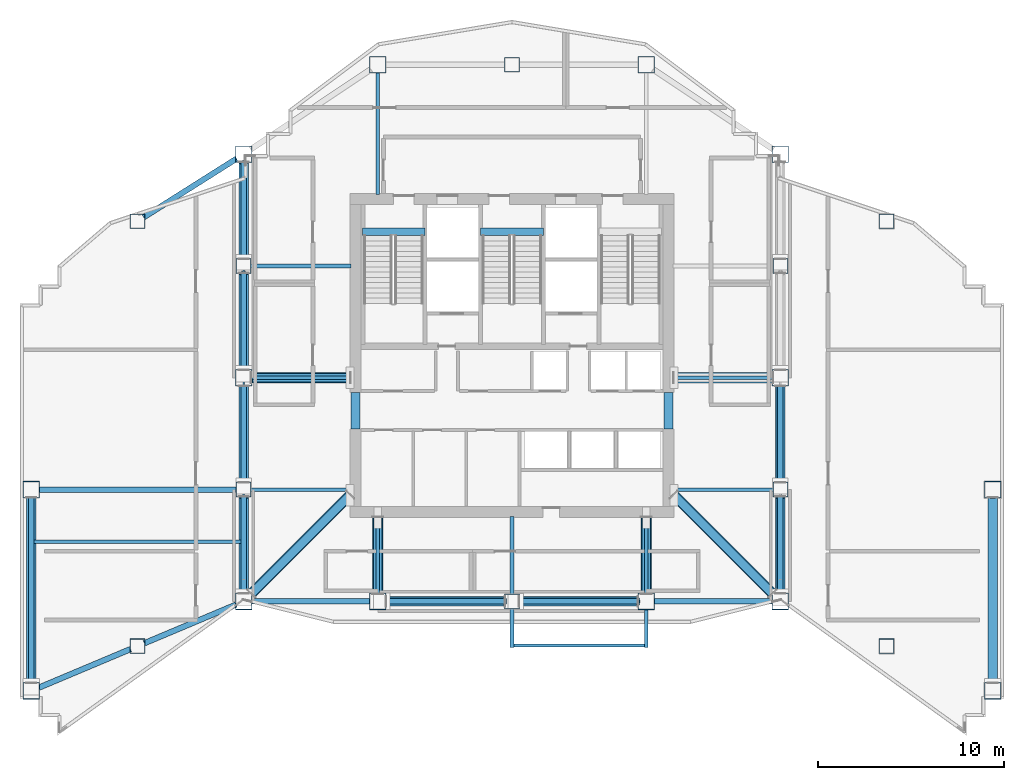
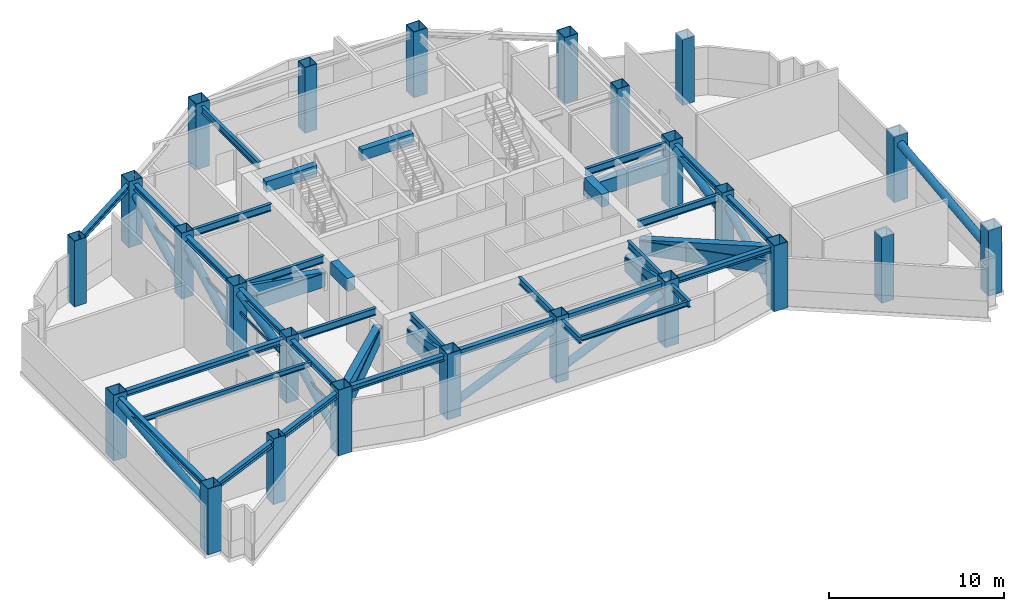
# One storey, part 1 of 19: 38 beams, 24 columns, 16 members.
"""IFC4 building model written with IfcOpenShell, lengths in metres."""

from ifc_helpers import new_model, si_unit, direction, frame, origin, origin_2d, place, context, subcontext, project, spatial, rectangle, hollow_rectangle, hollow_circle, i_section, extrude, material, material_profile, profile_set, type_object, element, save


model = new_model("IFC4")

# Units and contexts
model_context = context("Model", 3, precision=1e-05, world=origin(), true_north=direction((0.0, 1.0)))
body_context = subcontext(model_context, "Body", "Model", "MODEL_VIEW")
ifc_project = project(units=[si_unit("LENGTHUNIT", "METRE"), si_unit("AREAUNIT", "SQUARE_METRE"), si_unit("VOLUMEUNIT", "CUBIC_METRE"), si_unit("PLANEANGLEUNIT", "RADIAN"), si_unit("MASSUNIT", "GRAM", prefix="KILO")], contexts=[model_context])

# Site, building, storey
site_placement = place(None, origin())
site = spatial("IfcSite", under=ifc_project, at=site_placement, CompositionType="ELEMENT")
building_placement = place(site_placement, origin())
building = spatial("IfcBuilding", under=site, at=building_placement, Name="Haolan Belvedere Tower", CompositionType="ELEMENT")
storey_placement = place(building_placement, frame((0.0, 0.0, 230.60009765625)))
storey = spatial("IfcBuildingStorey", under=building, at=storey_placement, Name="L58", CompositionType="ELEMENT", Elevation=230.60009765625)

# Columns
ifc_material_1 = material(Name="Steel Q390GJC", Category="steel")
ifc_material_profile_1 = material_profile(ifc_material_1, hollow_rectangle(XDim=0.800048828125, YDim=0.800048828125, WallThickness=0.030029296875, at=origin_2d()), Name="Steel Q390GJC")
ifc_profile_set_1 = profile_set([ifc_material_profile_1], Name="Steel Q390GJC")
column_type_1 = type_object("IfcColumnType", Name="COL-BOX800x800x30", PredefinedType="COLUMN", material=ifc_profile_set_1)
for number, where, z_axis, x_axis, name in (
    (1, (24.0, 27.60009765625, 0.0), (0.0, 0.0, 1.0), (1.0, 0.0, 0.0), "L58 column TC-T3-W1 (BOX800x800x30)"),
    (2, (24.0, 39.60009765625, 0.0), (0.0, 0.0, 1.0), (1.0, 0.0, 0.0), "L58 column TC-T3-W2 (BOX800x800x30)"),
    (3, (52.800048828125, 27.60009765625, 0.0), (0.0, 0.0, 1.0), (1.0, 0.0, 0.0), "L58 column TC-T3-E1 (BOX800x800x30)"),
    (4, (52.800048828125, 39.60009765625, 0.0), (0.0, 0.0, 1.0), (1.0, 0.0, 0.0), "L58 column TC-T3-E2 (BOX800x800x30)"),
    (5, (38.39990234375, 21.60009765625, 0.0), (0.0, 0.0, 1.0), (1.0, 0.0, 0.0), "L58 column TC-T3-SM (BOX800x800x30)"),
    (6, (38.39990234375, 50.39990234375, 0.0), (0.0, 0.0, 1.0), (1.0, 0.0, 0.0), "L58 column TC-T3-NM (BOX800x800x30)"),
    (7, (18.300048828125, 19.199951171875, 0.0), (0.0, 0.0, 1.0), (1.0, 0.0, 0.0), "L58 column TC-T2-S1 (BOX800x800x30)"),
    (8, (18.300048828125, 42.0, 0.0), (0.0, 0.0, 1.0), (1.0, 0.0, 0.0), "L58 column TC-T2-N1 (BOX800x800x30)"),
    (9, (58.5, 19.199951171875, 0.0), (0.0, 0.0, 1.0), (1.0, 0.0, 0.0), "L58 column TC-T4-S1 (BOX800x800x30)"),
    (10, (58.5, 42.0, 0.0), (0.0, 0.0, 1.0), (1.0, 0.0, 0.0), "L58 column TC-T4-N1 (BOX800x800x30)"),
):
    element("IfcColumn", number, at=place(storey_placement, frame(where, z_axis=z_axis, x_axis=x_axis)), inside=storey, type_object=column_type_1, Name=name, PredefinedType="COLUMN", context=body_context, shape_type="SweptSolid", body=[
        extrude(hollow_rectangle(XDim=0.800048828125, YDim=0.800048828125, WallThickness=0.030029296875, at=origin_2d()), origin(), (0.0, 0.0, 1.0), 4.599853515625),
    ])
ifc_material_profile_2 = material_profile(ifc_material_1, hollow_rectangle(XDim=0.89990234375, YDim=0.89990234375, WallThickness=0.033935546875, at=origin_2d()), Name="Steel Q390GJC")
ifc_profile_set_2 = profile_set([ifc_material_profile_2], Name="Steel Q390GJC")
column_type_2 = type_object("IfcColumnType", Name="COL-BOX900x900x34", PredefinedType="COLUMN", material=ifc_profile_set_2)
for number, where, z_axis, x_axis, name in (
    (11, (24.0, 21.60009765625, 0.0), (0.0, 0.0, 1.0), (1.0, 0.0, 0.0), "L58 column MC-T3-SW (BOX900x900x34)"),
    (12, (24.0, 33.60009765625, 0.0), (0.0, 0.0, 1.0), (1.0, 0.0, 0.0), "L58 column MC-T3-MW (BOX900x900x34)"),
    (13, (24.0, 45.60009765625, 0.0), (0.0, 0.0, 1.0), (1.0, 0.0, 0.0), "L58 column MC-T3-NW (BOX900x900x34)"),
    (14, (52.800048828125, 21.60009765625, 0.0), (0.0, 0.0, 1.0), (1.0, 0.0, 0.0), "L58 column MC-T3-SE (BOX900x900x34)"),
    (15, (52.800048828125, 33.60009765625, 0.0), (0.0, 0.0, 1.0), (1.0, 0.0, 0.0), "L58 column MC-T3-ME (BOX900x900x34)"),
    (16, (52.800048828125, 45.60009765625, 0.0), (0.0, 0.0, 1.0), (1.0, 0.0, 0.0), "L58 column MC-T3-NE (BOX900x900x34)"),
    (17, (31.199951171875, 21.60009765625, 0.0), (0.0, 0.0, 1.0), (1.0, 0.0, 0.0), "L58 column MC-T3-S1 (BOX900x900x34)"),
    (18, (45.60009765625, 21.60009765625, 0.0), (0.0, 0.0, 1.0), (1.0, 0.0, 0.0), "L58 column MC-T3-S2 (BOX900x900x34)"),
    (19, (31.199951171875, 50.39990234375, 0.0), (0.0, 0.0, 1.0), (1.0, 0.0, 0.0), "L58 column MC-T3-N1 (BOX900x900x34)"),
    (20, (45.60009765625, 50.39990234375, 0.0), (0.0, 0.0, 1.0), (1.0, 0.0, 0.0), "L58 column MC-T3-N2 (BOX900x900x34)"),
    (21, (12.60009765625, 16.800048828125, 0.0), (0.0, 0.0, 1.0), (1.0, 0.0, 0.0), "L58 column MC-T2-SW (BOX900x900x34)"),
    (22, (12.60009765625, 27.60009765625, 0.0), (0.0, 0.0, 1.0), (1.0, 0.0, 0.0), "L58 column MC-T2-MW (BOX900x900x34)"),
    (23, (64.199951171875, 16.800048828125, 0.0), (0.0, 0.0, 1.0), (1.0, 0.0, 0.0), "L58 column MC-T4-SE (BOX900x900x34)"),
    (24, (64.199951171875, 27.60009765625, 0.0), (0.0, 0.0, 1.0), (1.0, 0.0, 0.0), "L58 column MC-T4-ME (BOX900x900x34)"),
):
    element("IfcColumn", number, at=place(storey_placement, frame(where, z_axis=z_axis, x_axis=x_axis)), inside=storey, type_object=column_type_2, Name=name, PredefinedType="COLUMN", context=body_context, shape_type="SweptSolid", body=[
        extrude(hollow_rectangle(XDim=0.89990234375, YDim=0.89990234375, WallThickness=0.033935546875, at=origin_2d()), origin(), (0.0, 0.0, 1.0), 4.599853515625),
    ])

# Beams
ifc_material_2 = material(Name="Steel Q420GJC", Category="steel")
ifc_material_profile_3 = material_profile(ifc_material_2, hollow_rectangle(XDim=0.550048828125, YDim=0.949951171875, WallThickness=0.033935546875, at=origin_2d()), Name="Steel Q420GJC")
ifc_profile_set_3 = profile_set([ifc_material_profile_3], Name="Steel Q420GJC")
beam_type_1 = type_object("IfcBeamType", Name="BM-BOX950x550x34", PredefinedType="BEAM", material=ifc_profile_set_3)
beam_1_placement = place(storey_placement, frame((29.72998046875, 33.60009765625, 2.77978515625), z_axis=(-1.0, 0.0, 0.0), x_axis=(0.0, -1.0, 0.0)))
element("IfcBeam", 25, at=beam_1_placement, inside=storey, type_object=beam_type_1, Name="L58 core outrigger lower portal chord OR-W1", PredefinedType="BEAM", context=body_context, shape_type="SweptSolid", body=[
    extrude(hollow_rectangle(XDim=0.550048828125, YDim=0.949951171875, WallThickness=0.033935546875, at=origin_2d()), origin(), (0.0, 0.0, 1.0), 5.31005859375),
])
beam_2_placement = place(storey_placement, frame((29.72119140625, 27.3212890625, 2.77978515625), z_axis=(-0.707106781187, -0.707106781187, 0.0), x_axis=(0.707106781187, -0.707106781187, 0.0)))
element("IfcBeam", 26, at=beam_2_placement, inside=storey, type_object=beam_type_1, Name="L58 core outrigger lower portal chord OR-W2", PredefinedType="BEAM", context=body_context, shape_type="SweptSolid", body=[
    extrude(hollow_rectangle(XDim=0.550048828125, YDim=0.949951171875, WallThickness=0.033935546875, at=origin_2d()), origin(), (0.0, 0.0, 1.0), 7.484619140625),
])
beam_3_placement = place(storey_placement, frame((47.070068359375, 33.60009765625, 2.77978515625), z_axis=(1.0, 0.0, 0.0), x_axis=(0.0, 1.0, 0.0)))
element("IfcBeam", 27, at=beam_3_placement, inside=storey, type_object=beam_type_1, Name="L58 core outrigger lower portal chord OR-E1", PredefinedType="BEAM", context=body_context, shape_type="SweptSolid", body=[
    extrude(hollow_rectangle(XDim=0.550048828125, YDim=0.949951171875, WallThickness=0.033935546875, at=origin_2d()), origin(), (0.0, 0.0, 1.0), 5.309814453125),
])
beam_4_placement = place(storey_placement, frame((47.078857421875, 27.3212890625, 2.77978515625), z_axis=(0.707090471305, -0.707123090692, 0.0), x_axis=(0.707123090692, 0.707090471305, 0.0)))
element("IfcBeam", 28, at=beam_4_placement, inside=storey, type_object=beam_type_1, Name="L58 core outrigger lower portal chord OR-E2", PredefinedType="BEAM", context=body_context, shape_type="SweptSolid", body=[
    extrude(hollow_rectangle(XDim=0.550048828125, YDim=0.949951171875, WallThickness=0.033935546875, at=origin_2d()), origin(), (0.0, 0.0, 1.0), 7.484619140625),
])
for number, where, z_axis, x_axis, name in (
    (29, (31.199951171875, 26.1298828125, 2.77978515625), (0.0, -1.0, 0.0), (1.0, 0.0, 0.0), "L58 core outrigger lower portal chord OR-S1"),
    (30, (45.60009765625, 26.1298828125, 2.77978515625), (0.0, -1.0, 0.0), (1.0, 0.0, 0.0), "L58 core outrigger lower portal chord OR-S2"),
):
    element("IfcBeam", number, at=place(storey_placement, frame(where, z_axis=z_axis, x_axis=x_axis)), inside=storey, type_object=beam_type_1, Name=name, PredefinedType="BEAM", context=body_context, shape_type="SweptSolid", body=[
        extrude(hollow_rectangle(XDim=0.550048828125, YDim=0.949951171875, WallThickness=0.033935546875, at=origin_2d()), origin(), (0.0, 0.0, 1.0), 4.10986328125),
    ])
ifc_material_3 = material(Name="Steel Q355B", Category="steel")
ifc_material_profile_4 = material_profile(ifc_material_3, i_section(OverallWidth=0.300048828125, OverallDepth=0.389892578125, WebThickness=0.010009765625, FlangeThickness=0.01611328125, FilletRadius=0.02197265625, at=origin_2d()), Name="Steel Q355B")
ifc_profile_set_4 = profile_set([ifc_material_profile_4], Name="Steel Q355B")
beam_type_2 = type_object("IfcBeamType", Name="BM-HM390x300x10x16", PredefinedType="SPANDREL", material=ifc_profile_set_4)
for number, where, z_axis, x_axis, name in (
    (31, (24.0, 22.050048828125, 4.15478515625), (0.0, 1.0, 0.0), (-1.0, 0.0, 0.0), "L58 spandrel girder MC-T3-SW-TC-T3-W1"),
    (32, (24.0, 28.0, 4.15478515625), (0.0, 1.0, 0.0), (-1.0, 0.0, 0.0), "L58 spandrel girder TC-T3-W1-MC-T3-MW"),
    (33, (24.0, 34.050048828125, 4.15478515625), (0.0, 1.0, 0.0), (-1.0, 0.0, 0.0), "L58 spandrel girder MC-T3-MW-TC-T3-W2"),
    (34, (24.0, 40.0, 4.15478515625), (0.0, 1.0, 0.0), (-1.0, 0.0, 0.0), "L58 spandrel girder TC-T3-W2-MC-T3-NW"),
    (35, (52.800048828125, 22.050048828125, 4.15478515625), (0.0, 1.0, 0.0), (-1.0, 0.0, 0.0), "L58 spandrel girder MC-T3-SE-TC-T3-E1"),
    (36, (52.800048828125, 28.0, 4.15478515625), (0.0, 1.0, 0.0), (-1.0, 0.0, 0.0), "L58 spandrel girder TC-T3-E1-MC-T3-ME"),
):
    element("IfcBeam", number, at=place(storey_placement, frame(where, z_axis=z_axis, x_axis=x_axis)), inside=storey, type_object=beam_type_2, Name=name, PredefinedType="SPANDREL", context=body_context, shape_type="SweptSolid", body=[
        extrude(i_section(OverallWidth=0.300048828125, OverallDepth=0.389892578125, WebThickness=0.010009765625, FlangeThickness=0.01611328125, FilletRadius=0.02197265625, at=origin_2d()), origin(), (0.0, 0.0, 1.0), 5.14990234375),
    ])
beam_5_placement = place(storey_placement, frame((24.449951171875, 21.60009765625, 4.15478515625), z_axis=(1.0, 0.0, 0.0), x_axis=(0.0, 1.0, 0.0)))
element("IfcBeam", 37, at=beam_5_placement, inside=storey, type_object=beam_type_2, Name="L58 spandrel girder MC-T3-SW-MC-T3-S1", PredefinedType="SPANDREL", context=body_context, shape_type="SweptSolid", body=[
    extrude(i_section(OverallWidth=0.300048828125, OverallDepth=0.389892578125, WebThickness=0.010009765625, FlangeThickness=0.01611328125, FilletRadius=0.02197265625, at=origin_2d()), origin(), (0.0, 0.0, 1.0), 6.300048828125),
])
beam_6_placement = place(storey_placement, frame((31.64990234375, 21.60009765625, 4.15478515625), z_axis=(1.0, 0.0, 0.0), x_axis=(0.0, 1.0, 0.0)))
element("IfcBeam", 38, at=beam_6_placement, inside=storey, type_object=beam_type_2, Name="L58 spandrel girder MC-T3-S1-TC-T3-SM", PredefinedType="SPANDREL", context=body_context, shape_type="SweptSolid", body=[
    extrude(i_section(OverallWidth=0.300048828125, OverallDepth=0.389892578125, WebThickness=0.010009765625, FlangeThickness=0.01611328125, FilletRadius=0.02197265625, at=origin_2d()), origin(), (0.0, 0.0, 1.0), 6.35009765625),
])
beam_7_placement = place(storey_placement, frame((38.800048828125, 21.60009765625, 4.15478515625), z_axis=(1.0, 0.0, 0.0), x_axis=(0.0, 1.0, 0.0)))
element("IfcBeam", 39, at=beam_7_placement, inside=storey, type_object=beam_type_2, Name="L58 spandrel girder TC-T3-SM-MC-T3-S2", PredefinedType="SPANDREL", context=body_context, shape_type="SweptSolid", body=[
    extrude(i_section(OverallWidth=0.300048828125, OverallDepth=0.389892578125, WebThickness=0.010009765625, FlangeThickness=0.01611328125, FilletRadius=0.02197265625, at=origin_2d()), origin(), (0.0, 0.0, 1.0), 6.349853515625),
])
beam_8_placement = place(storey_placement, frame((46.050048828125, 21.60009765625, 4.15478515625), z_axis=(1.0, 0.0, 0.0), x_axis=(0.0, 1.0, 0.0)))
element("IfcBeam", 40, at=beam_8_placement, inside=storey, type_object=beam_type_2, Name="L58 spandrel girder MC-T3-S2-MC-T3-SE", PredefinedType="SPANDREL", context=body_context, shape_type="SweptSolid", body=[
    extrude(i_section(OverallWidth=0.300048828125, OverallDepth=0.389892578125, WebThickness=0.010009765625, FlangeThickness=0.01611328125, FilletRadius=0.02197265625, at=origin_2d()), origin(), (0.0, 0.0, 1.0), 6.300048828125),
])
beam_9_placement = place(storey_placement, frame((12.60009765625, 17.25, 4.15478515625), z_axis=(0.0, 1.0, 0.0), x_axis=(-1.0, 0.0, 0.0)))
element("IfcBeam", 41, at=beam_9_placement, inside=storey, type_object=beam_type_2, Name="L58 spandrel girder MC-T2-SW-MC-T2-MW", PredefinedType="SPANDREL", context=body_context, shape_type="SweptSolid", body=[
    extrude(i_section(OverallWidth=0.300048828125, OverallDepth=0.389892578125, WebThickness=0.010009765625, FlangeThickness=0.01611328125, FilletRadius=0.02197265625, at=origin_2d()), origin(), (0.0, 0.0, 1.0), 9.89990234375),
])
beam_10_placement = place(storey_placement, frame((13.0146484375, 16.974609375, 4.15478515625), z_axis=(0.921644850741, 0.388034494733, 0.0), x_axis=(-0.388034494733, 0.921644850741, 0.0)))
element("IfcBeam", 42, at=beam_10_placement, inside=storey, type_object=beam_type_2, Name="L58 spandrel girder MC-T2-SW-TC-T2-S1", PredefinedType="SPANDREL", context=body_context, shape_type="SweptSolid", body=[
    extrude(i_section(OverallWidth=0.300048828125, OverallDepth=0.389892578125, WebThickness=0.010009765625, FlangeThickness=0.01611328125, FilletRadius=0.02197265625, at=origin_2d()), origin(), (0.0, 0.0, 1.0), 5.334716796875),
])
beam_11_placement = place(storey_placement, frame((18.668701171875, 19.355224609375, 4.15478515625), z_axis=(0.921637959557, 0.388050862006, 0.0), x_axis=(-0.388050862006, 0.921637959557, 0.0)))
element("IfcBeam", 43, at=beam_11_placement, inside=storey, type_object=beam_type_2, Name="L58 spandrel girder TC-T2-S1-MC-T3-SW", PredefinedType="SPANDREL", context=body_context, shape_type="SweptSolid", body=[
    extrude(i_section(OverallWidth=0.300048828125, OverallDepth=0.389892578125, WebThickness=0.010009765625, FlangeThickness=0.01611328125, FilletRadius=0.02197265625, at=origin_2d()), origin(), (0.0, 0.0, 1.0), 5.33447265625),
])
beam_12_placement = place(storey_placement, frame((18.63818359375, 42.213623046875, 4.15478515625), z_axis=(0.845502688092, 0.533971164417, 0.0), x_axis=(-0.533971164417, 0.845502688092, 0.0)))
element("IfcBeam", 44, at=beam_12_placement, inside=storey, type_object=beam_type_2, Name="L58 spandrel girder TC-T2-N1-MC-T3-NW", PredefinedType="SPANDREL", context=body_context, shape_type="SweptSolid", body=[
    extrude(i_section(OverallWidth=0.300048828125, OverallDepth=0.389892578125, WebThickness=0.010009765625, FlangeThickness=0.01611328125, FilletRadius=0.02197265625, at=origin_2d()), origin(), (0.0, 0.0, 1.0), 5.8916015625),
])
beam_13_placement = place(storey_placement, frame((13.050048828125, 27.60009765625, 4.15478515625), z_axis=(1.0, 0.0, 0.0), x_axis=(0.0, 1.0, 0.0)))
element("IfcBeam", 45, at=beam_13_placement, inside=storey, type_object=beam_type_2, Name="L58 spandrel girder MC-T2-MW-TC-T3-W1", PredefinedType="SPANDREL", context=body_context, shape_type="SweptSolid", body=[
    extrude(i_section(OverallWidth=0.300048828125, OverallDepth=0.389892578125, WebThickness=0.010009765625, FlangeThickness=0.01611328125, FilletRadius=0.02197265625, at=origin_2d()), origin(), (0.0, 0.0, 1.0), 10.550048828125),
])
ifc_material_profile_5 = material_profile(ifc_material_3, i_section(OverallWidth=0.175048828125, OverallDepth=0.35009765625, WebThickness=0.007080078125, FlangeThickness=0.010986328125, FilletRadius=0.012939453125, at=origin_2d()), Name="Steel Q355B")
ifc_profile_set_5 = profile_set([ifc_material_profile_5], Name="Steel Q355B")
beam_type_3 = type_object("IfcBeamType", Name="BM-HN350x175x7x11", PredefinedType="JOIST", material=ifc_profile_set_5)
beam_14_placement = place(storey_placement, frame((12.75, 24.800048828125, 4.1748046875), z_axis=(1.0, 0.0, 0.0), x_axis=(0.0, 1.0, 0.0)))
element("IfcBeam", 46, at=beam_14_placement, inside=storey, type_object=beam_type_3, Name="L58 west wing floor joist 1", PredefinedType="JOIST", context=body_context, shape_type="SweptSolid", body=[
    extrude(i_section(OverallWidth=0.175048828125, OverallDepth=0.35009765625, WebThickness=0.007080078125, FlangeThickness=0.010986328125, FilletRadius=0.012939453125, at=origin_2d()), origin(), (0.0, 0.0, 1.0), 11.10009765625),
])
beam_15_placement = place(storey_placement, frame((38.5, 19.239990234375, 4.1748046875), z_axis=(1.0, 0.0, 0.0), x_axis=(0.0, 1.0, 0.0)))
element("IfcBeam", 47, at=beam_15_placement, inside=storey, type_object=beam_type_3, Name="L59 tree-balcony front trimmer beam 1", PredefinedType="BEAM", context=body_context, shape_type="SweptSolid", body=[
    extrude(i_section(OverallWidth=0.175048828125, OverallDepth=0.35009765625, WebThickness=0.007080078125, FlangeThickness=0.010986328125, FilletRadius=0.012939453125, at=origin_2d()), origin(), (0.0, 0.0, 1.0), 7.0),
])
ifc_material_profile_6 = material_profile(ifc_material_3, i_section(OverallWidth=0.199951171875, OverallDepth=0.449951171875, WebThickness=0.009033203125, FlangeThickness=0.013916015625, FilletRadius=0.01611328125, at=origin_2d()), Name="Steel Q355B")
ifc_profile_set_6 = profile_set([ifc_material_profile_6], Name="Steel Q355B")
beam_type_4 = type_object("IfcBeamType", Name="BM-HN450x200x9x14", PredefinedType="BEAM", material=ifc_profile_set_6)
beam_16_placement = place(storey_placement, frame((38.39990234375, 21.199951171875, 4.125), z_axis=(0.0, -1.0, 0.0), x_axis=(1.0, 0.0, 0.0)))
element("IfcBeam", 48, at=beam_16_placement, inside=storey, type_object=beam_type_4, Name="L59 tree-balcony column cantilever TC-T3-SM", PredefinedType="BEAM", context=body_context, shape_type="SweptSolid", body=[
    extrude(i_section(OverallWidth=0.199951171875, OverallDepth=0.449951171875, WebThickness=0.009033203125, FlangeThickness=0.013916015625, FilletRadius=0.01611328125, at=origin_2d()), origin(), (0.0, 0.0, 1.0), 2.06005859375),
])
beam_17_placement = place(storey_placement, frame((45.60009765625, 21.14990234375, 4.125), z_axis=(0.0, -1.0, 0.0), x_axis=(1.0, 0.0, 0.0)))
element("IfcBeam", 49, at=beam_17_placement, inside=storey, type_object=beam_type_4, Name="L59 tree-balcony column cantilever MC-T3-S2", PredefinedType="BEAM", context=body_context, shape_type="SweptSolid", body=[
    extrude(i_section(OverallWidth=0.199951171875, OverallDepth=0.449951171875, WebThickness=0.009033203125, FlangeThickness=0.013916015625, FilletRadius=0.01611328125, at=origin_2d()), origin(), (0.0, 0.0, 1.0), 2.010009765625),
])
ifc_material_profile_7 = material_profile(ifc_material_3, i_section(OverallWidth=0.199951171875, OverallDepth=0.5, WebThickness=0.010009765625, FlangeThickness=0.01611328125, FilletRadius=0.02001953125, at=origin_2d()), Name="Steel Q355B")
ifc_profile_set_7 = profile_set([ifc_material_profile_7], Name="Steel Q355B")
beam_type_5 = type_object("IfcBeamType", Name="BM-HN500x200x10x16", PredefinedType="BEAM", material=ifc_profile_set_7)
beam_18_placement = place(storey_placement, frame((24.449951171875, 33.60009765625, 4.099853515625), z_axis=(1.0, 0.0, 0.0), x_axis=(0.0, 1.0, 0.0)))
element("IfcBeam", 50, at=beam_18_placement, inside=storey, type_object=beam_type_5, Name="L58 core tie beam from MC-T3-MW", PredefinedType="BEAM", context=body_context, shape_type="SweptSolid", body=[
    extrude(i_section(OverallWidth=0.199951171875, OverallDepth=0.5, WebThickness=0.010009765625, FlangeThickness=0.01611328125, FilletRadius=0.02001953125, at=origin_2d()), origin(), (0.0, 0.0, 1.0), 5.300048828125),
])
for number, where, z_axis, x_axis, name in (
    (51, (24.39990234375, 27.60009765625, 4.099853515625), (1.0, 0.0, 0.0), (0.0, 1.0, 0.0), "L58 core tie beam from TC-T3-W1"),
    (52, (24.39990234375, 39.60009765625, 4.099853515625), (1.0, 0.0, 0.0), (0.0, 1.0, 0.0), "L58 core tie beam from TC-T3-W2"),
):
    element("IfcBeam", number, at=place(storey_placement, frame(where, z_axis=z_axis, x_axis=x_axis)), inside=storey, type_object=beam_type_5, Name=name, PredefinedType="BEAM", context=body_context, shape_type="SweptSolid", body=[
        extrude(i_section(OverallWidth=0.199951171875, OverallDepth=0.5, WebThickness=0.010009765625, FlangeThickness=0.01611328125, FilletRadius=0.02001953125, at=origin_2d()), origin(), (0.0, 0.0, 1.0), 5.35009765625),
    ])
beam_19_placement = place(storey_placement, frame((52.35009765625, 33.60009765625, 4.099853515625), z_axis=(-1.0, 0.0, 0.0), x_axis=(0.0, -1.0, 0.0)))
element("IfcBeam", 53, at=beam_19_placement, inside=storey, type_object=beam_type_5, Name="L58 core tie beam from MC-T3-ME", PredefinedType="BEAM", context=body_context, shape_type="SweptSolid", body=[
    extrude(i_section(OverallWidth=0.199951171875, OverallDepth=0.5, WebThickness=0.010009765625, FlangeThickness=0.01611328125, FilletRadius=0.02001953125, at=origin_2d()), origin(), (0.0, 0.0, 1.0), 5.300048828125),
])
beam_20_placement = place(storey_placement, frame((52.39990234375, 27.60009765625, 4.099853515625), z_axis=(-1.0, 0.0, 0.0), x_axis=(0.0, -1.0, 0.0)))
element("IfcBeam", 54, at=beam_20_placement, inside=storey, type_object=beam_type_5, Name="L58 core tie beam from TC-T3-E1", PredefinedType="BEAM", context=body_context, shape_type="SweptSolid", body=[
    extrude(i_section(OverallWidth=0.199951171875, OverallDepth=0.5, WebThickness=0.010009765625, FlangeThickness=0.01611328125, FilletRadius=0.02001953125, at=origin_2d()), origin(), (0.0, 0.0, 1.0), 5.349853515625),
])
beam_21_placement = place(storey_placement, frame((31.199951171875, 22.050048828125, 4.099853515625), z_axis=(0.0, 1.0, 0.0), x_axis=(-1.0, 0.0, 0.0)))
element("IfcBeam", 55, at=beam_21_placement, inside=storey, type_object=beam_type_5, Name="L58 core tie beam from MC-T3-S1", PredefinedType="BEAM", context=body_context, shape_type="SweptSolid", body=[
    extrude(i_section(OverallWidth=0.199951171875, OverallDepth=0.5, WebThickness=0.010009765625, FlangeThickness=0.01611328125, FilletRadius=0.02001953125, at=origin_2d()), origin(), (0.0, 0.0, 1.0), 4.099853515625),
])
beam_22_placement = place(storey_placement, frame((38.39990234375, 22.0, 4.099853515625), z_axis=(0.0, 1.0, 0.0), x_axis=(-1.0, 0.0, 0.0)))
element("IfcBeam", 56, at=beam_22_placement, inside=storey, type_object=beam_type_5, Name="L58 core tie beam from TC-T3-SM", PredefinedType="BEAM", context=body_context, shape_type="SweptSolid", body=[
    extrude(i_section(OverallWidth=0.199951171875, OverallDepth=0.5, WebThickness=0.010009765625, FlangeThickness=0.01611328125, FilletRadius=0.02001953125, at=origin_2d()), origin(), (0.0, 0.0, 1.0), 4.14990234375),
])
beam_23_placement = place(storey_placement, frame((45.60009765625, 22.050048828125, 4.099853515625), z_axis=(0.0, 1.0, 0.0), x_axis=(-1.0, 0.0, 0.0)))
element("IfcBeam", 57, at=beam_23_placement, inside=storey, type_object=beam_type_5, Name="L58 core tie beam from MC-T3-S2", PredefinedType="BEAM", context=body_context, shape_type="SweptSolid", body=[
    extrude(i_section(OverallWidth=0.199951171875, OverallDepth=0.5, WebThickness=0.010009765625, FlangeThickness=0.01611328125, FilletRadius=0.02001953125, at=origin_2d()), origin(), (0.0, 0.0, 1.0), 4.099853515625),
])
beam_24_placement = place(storey_placement, frame((31.199951171875, 49.949951171875, 4.099853515625), z_axis=(0.0, -1.0, 0.0), x_axis=(1.0, 0.0, 0.0)))
element("IfcBeam", 58, at=beam_24_placement, inside=storey, type_object=beam_type_5, Name="L58 core tie beam from MC-T3-N1", PredefinedType="BEAM", context=body_context, shape_type="SweptSolid", body=[
    extrude(i_section(OverallWidth=0.199951171875, OverallDepth=0.5, WebThickness=0.010009765625, FlangeThickness=0.01611328125, FilletRadius=0.02001953125, at=origin_2d()), origin(), (0.0, 0.0, 1.0), 6.5),
])
ifc_material_4 = material(Name="Concrete C50/60", Category="concrete")
ifc_material_profile_8 = material_profile(ifc_material_4, rectangle(XDim=0.39990234375, YDim=0.75, at=origin_2d()), Name="Concrete C50/60")
ifc_profile_set_8 = profile_set([ifc_material_profile_8], Name="Concrete C50/60")
beam_type_6 = type_object("IfcBeamType", Name="BM-RC400x750", PredefinedType="T_BEAM", material=ifc_profile_set_8)
beam_25_placement = place(storey_placement, frame((30.3798828125, 41.429931640625, 4.224853515625), z_axis=(1.0, 0.0, 0.0), x_axis=(0.0, 1.0, 0.0)))
element("IfcBeam", 59, at=beam_25_placement, inside=storey, type_object=beam_type_6, Name="L59 stair ST1 RC header trimmer beam", PredefinedType="BEAM", context=body_context, shape_type="SweptSolid", body=[
    extrude(rectangle(XDim=0.39990234375, YDim=0.75, at=origin_2d()), origin(), (0.0, 0.0, 1.0), 3.360107421875),
])
beam_26_placement = place(storey_placement, frame((36.699951171875, 41.429931640625, 4.224853515625), z_axis=(1.0, 0.0, 0.0), x_axis=(0.0, 1.0, 0.0)))
element("IfcBeam", 60, at=beam_26_placement, inside=storey, type_object=beam_type_6, Name="L59 stair ST3 RC header trimmer beam", PredefinedType="BEAM", context=body_context, shape_type="SweptSolid", body=[
    extrude(rectangle(XDim=0.39990234375, YDim=0.75, at=origin_2d()), origin(), (0.0, 0.0, 1.0), 3.400146484375),
])
ifc_material_5 = material(Name="Concrete C60/75", Category="concrete")
ifc_material_profile_9 = material_profile(ifc_material_5, rectangle(XDim=0.5, YDim=0.89990234375, at=origin_2d()), Name="Concrete C60/75")
ifc_profile_set_9 = profile_set([ifc_material_profile_9], Name="Concrete C60/75")
beam_type_7 = type_object("IfcBeamType", Name="BM-RC500x900", PredefinedType="LINTEL", material=ifc_profile_set_9)
for number, where, z_axis, x_axis, name in (
    (61, (30.0, 30.85009765625, 3.89990234375), (0.0, 1.0, 0.0), (-1.0, 0.0, 0.0), "L58 west core coupling beam CB-01"),
    (62, (46.800048828125, 30.85009765625, 3.89990234375), (0.0, 1.0, 0.0), (-1.0, 0.0, 0.0), "L58 east core coupling beam CB-01"),
):
    element("IfcBeam", number, at=place(storey_placement, frame(where, z_axis=z_axis, x_axis=x_axis)), inside=storey, type_object=beam_type_7, Name=name, PredefinedType="LINTEL", context=body_context, shape_type="SweptSolid", body=[
        extrude(rectangle(XDim=0.5, YDim=0.89990234375, at=origin_2d()), origin(), (0.0, 0.0, 1.0), 1.949951171875),
    ])

# Members
ifc_material_profile_10 = material_profile(ifc_material_1, hollow_rectangle(XDim=0.449951171875, YDim=0.75, WallThickness=0.028076171875, at=origin_2d()), Name="Steel Q390GJC")
ifc_profile_set_10 = profile_set([ifc_material_profile_10], Name="Steel Q390GJC")
member_type_1 = type_object("IfcMemberType", Name="MEM-BOX750x450x28", PredefinedType="BRACE", material=ifc_profile_set_10)
member_1_placement = place(storey_placement, frame((29.72998046875, 33.60009765625, 2.919921875), z_axis=(-0.986846301427, 0.0, 0.161661304459), x_axis=(0.0, -1.0, 0.0)))
element("IfcMember", 63, at=member_1_placement, inside=storey, type_object=member_type_1, Name="L58 core outrigger brace OR-W1", PredefinedType="BRACE", context=body_context, shape_type="SweptSolid", body=[
    extrude(hollow_rectangle(XDim=0.449951171875, YDim=0.75, WallThickness=0.028076171875, at=origin_2d()), origin(), (0.0, 0.0, 1.0), 5.380859375),
])
member_2_placement = place(storey_placement, frame((29.72119140625, 27.3212890625, 2.919921875), z_axis=(-0.702379127226, -0.702379127226, 0.115443160361), x_axis=(0.707106781187, -0.707106781187, 0.0)))
element("IfcMember", 64, at=member_2_placement, inside=storey, type_object=member_type_1, Name="L58 core outrigger brace OR-W2", PredefinedType="BRACE", context=body_context, shape_type="SweptSolid", body=[
    extrude(hollow_rectangle(XDim=0.449951171875, YDim=0.75, WallThickness=0.028076171875, at=origin_2d()), origin(), (0.0, 0.0, 1.0), 7.53515625),
])
member_3_placement = place(storey_placement, frame((47.078857421875, 27.3212890625, 2.919921875), z_axis=(0.702362710488, -0.702395111775, 0.115445787584), x_axis=(0.707123090692, 0.707090471305, 0.0)))
element("IfcMember", 65, at=member_3_placement, inside=storey, type_object=member_type_1, Name="L58 core outrigger brace OR-E2", PredefinedType="BRACE", context=body_context, shape_type="SweptSolid", body=[
    extrude(hollow_rectangle(XDim=0.449951171875, YDim=0.75, WallThickness=0.028076171875, at=origin_2d()), origin(), (0.0, 0.0, 1.0), 7.534912109375),
])
for number, where, z_axis, x_axis, name in (
    (66, (31.199951171875, 26.1298828125, 2.919921875), (0.0, -0.978326615166, 0.207067704042), (1.0, 0.0, 0.0), "L58 core outrigger brace OR-S1"),
    (67, (45.60009765625, 26.1298828125, 2.919921875), (0.0, -0.978326615166, 0.207067704042), (1.0, 0.0, 0.0), "L58 core outrigger brace OR-S2"),
):
    element("IfcMember", number, at=place(storey_placement, frame(where, z_axis=z_axis, x_axis=x_axis)), inside=storey, type_object=member_type_1, Name=name, PredefinedType="BRACE", context=body_context, shape_type="SweptSolid", body=[
        extrude(hollow_rectangle(XDim=0.449951171875, YDim=0.75, WallThickness=0.028076171875, at=origin_2d()), origin(), (0.0, 0.0, 1.0), 4.200927734375),
    ])
ifc_material_profile_11 = material_profile(ifc_material_1, hollow_circle(Radius=0.25390625, WallThickness=0.02001953125, at=origin_2d()), Name="Steel Q390GJC")
ifc_profile_set_11 = profile_set([ifc_material_profile_11], Name="Steel Q390GJC")
member_type_2 = type_object("IfcMemberType", Name="MEM-CHS508x20", PredefinedType="BRACE", material=ifc_profile_set_11)
member_4_placement = place(storey_placement, frame((24.0, 22.0400390625, 0.7998046875), z_axis=(0.0, 0.882869446911, 0.469618504439), x_axis=(-1.0, 0.0, 0.0)))
element("IfcMember", 68, at=member_4_placement, inside=storey, type_object=member_type_2, Name="L58 belt truss diagonal BT-W1", PredefinedType="BRACE", context=body_context, shape_type="SweptSolid", body=[
    extrude(hollow_circle(Radius=0.25390625, WallThickness=0.02001953125, at=origin_2d()), origin(), (0.0, 0.0, 1.0), 5.855712890625),
])
member_5_placement = place(storey_placement, frame((24.0, 27.989990234375, 2.81982421875), z_axis=(0.0, 0.97771449088, 0.209938977618), x_axis=(-1.0, 0.0, 0.0)))
element("IfcMember", 69, at=member_5_placement, inside=storey, type_object=member_type_2, Name="L58 belt truss diagonal BT-W2", PredefinedType="BRACE", context=body_context, shape_type="SweptSolid", body=[
    extrude(hollow_circle(Radius=0.25390625, WallThickness=0.02001953125, at=origin_2d()), origin(), (0.0, 0.0, 1.0), 5.287841796875),
])
for number, where, z_axis, x_axis, name in (
    (70, (24.0, 34.0400390625, 0.7998046875), (0.0, 0.882869446911, 0.469618504439), (-1.0, 0.0, 0.0), "L58 belt truss diagonal BT-W3"),
    (71, (24.0, 39.989990234375, 0.7998046875), (0.0, 0.882869446911, 0.469618504439), (-1.0, 0.0, 0.0), "L58 belt truss diagonal BT-W4"),
    (72, (52.800048828125, 22.0400390625, 0.7998046875), (0.0, 0.882869446911, 0.469618504439), (-1.0, 0.0, 0.0), "L58 belt truss diagonal BT-E1"),
):
    element("IfcMember", number, at=place(storey_placement, frame(where, z_axis=z_axis, x_axis=x_axis)), inside=storey, type_object=member_type_2, Name=name, PredefinedType="BRACE", context=body_context, shape_type="SweptSolid", body=[
        extrude(hollow_circle(Radius=0.25390625, WallThickness=0.02001953125, at=origin_2d()), origin(), (0.0, 0.0, 1.0), 5.855712890625),
    ])
member_6_placement = place(storey_placement, frame((52.800048828125, 27.989990234375, 2.81982421875), z_axis=(0.0, 0.97771449088, 0.209938977618), x_axis=(-1.0, 0.0, 0.0)))
element("IfcMember", 73, at=member_6_placement, inside=storey, type_object=member_type_2, Name="L58 belt truss diagonal BT-E2", PredefinedType="BRACE", context=body_context, shape_type="SweptSolid", body=[
    extrude(hollow_circle(Radius=0.25390625, WallThickness=0.02001953125, at=origin_2d()), origin(), (0.0, 0.0, 1.0), 5.287841796875),
])
member_7_placement = place(storey_placement, frame((31.639892578125, 21.60009765625, 0.7998046875), z_axis=(0.918100768531, 0.0, 0.396347043413), x_axis=(0.0, 1.0, 0.0)))
element("IfcMember", 74, at=member_7_placement, inside=storey, type_object=member_type_2, Name="L58 belt truss diagonal BT-S1", PredefinedType="BRACE", context=body_context, shape_type="SweptSolid", body=[
    extrude(hollow_circle(Radius=0.25390625, WallThickness=0.02001953125, at=origin_2d()), origin(), (0.0, 0.0, 1.0), 6.9384765625),
])
member_8_placement = place(storey_placement, frame((38.7900390625, 21.60009765625, 0.7998046875), z_axis=(0.918095240694, 0.0, 0.396359847885), x_axis=(0.0, 1.0, 0.0)))
element("IfcMember", 75, at=member_8_placement, inside=storey, type_object=member_type_2, Name="L58 belt truss diagonal BT-S2", PredefinedType="BRACE", context=body_context, shape_type="SweptSolid", body=[
    extrude(hollow_circle(Radius=0.25390625, WallThickness=0.02001953125, at=origin_2d()), origin(), (0.0, 0.0, 1.0), 6.938232421875),
])
for number, where, z_axis, x_axis, name in (
    (76, (12.60009765625, 17.239990234375, 2.81982421875), (0.0, 0.993796629927, 0.111212671694), (-1.0, 0.0, 0.0), "L58 belt truss diagonal BT-T2"),
    (77, (64.199951171875, 17.239990234375, 2.81982421875), (0.0, 0.993796629927, 0.111212671694), (-1.0, 0.0, 0.0), "L58 belt truss diagonal BT-T4"),
):
    element("IfcMember", number, at=place(storey_placement, frame(where, z_axis=z_axis, x_axis=x_axis)), inside=storey, type_object=member_type_2, Name=name, PredefinedType="BRACE", context=body_context, shape_type="SweptSolid", body=[
        extrude(hollow_circle(Radius=0.25390625, WallThickness=0.02001953125, at=origin_2d()), origin(), (0.0, 0.0, 1.0), 9.98193359375),
    ])
ifc_material_profile_12 = material_profile(ifc_material_3, hollow_rectangle(XDim=0.080078125, YDim=0.179931640625, WallThickness=0.006103515625, at=origin_2d()), Name="Steel Q355B")
ifc_profile_set_12 = profile_set([ifc_material_profile_12], Name="Steel Q355B")
member_type_3 = type_object("IfcMemberType", Name="MEM-RHS180x80x6", PredefinedType="CHORD", material=ifc_profile_set_12)
member_9_placement = place(storey_placement, frame((24.0, 22.800048828125, 2.599853515625), z_axis=(0.0, 1.0, 0.0), x_axis=(-1.0, 0.0, 0.0)))
element("IfcMember", 78, at=member_9_placement, inside=storey, type_object=member_type_3, Name="L58 refuge louvre structural girt chord GW", PredefinedType="STRUT", context=body_context, shape_type="SweptSolid", body=[
    extrude(hollow_rectangle(XDim=0.080078125, YDim=0.179931640625, WallThickness=0.006103515625, at=origin_2d()), origin(), (0.0, 0.0, 1.0), 21.599853515625),
])

save(model, "model.ifc")
